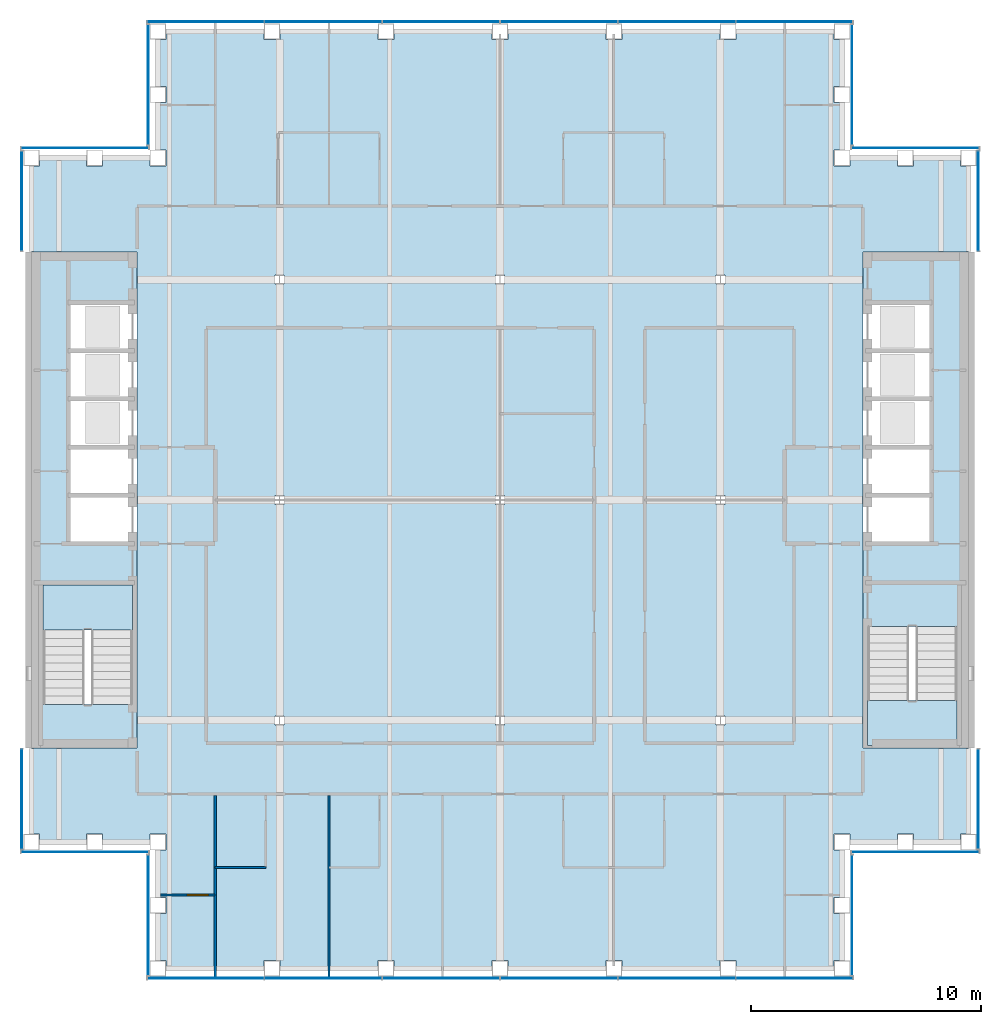
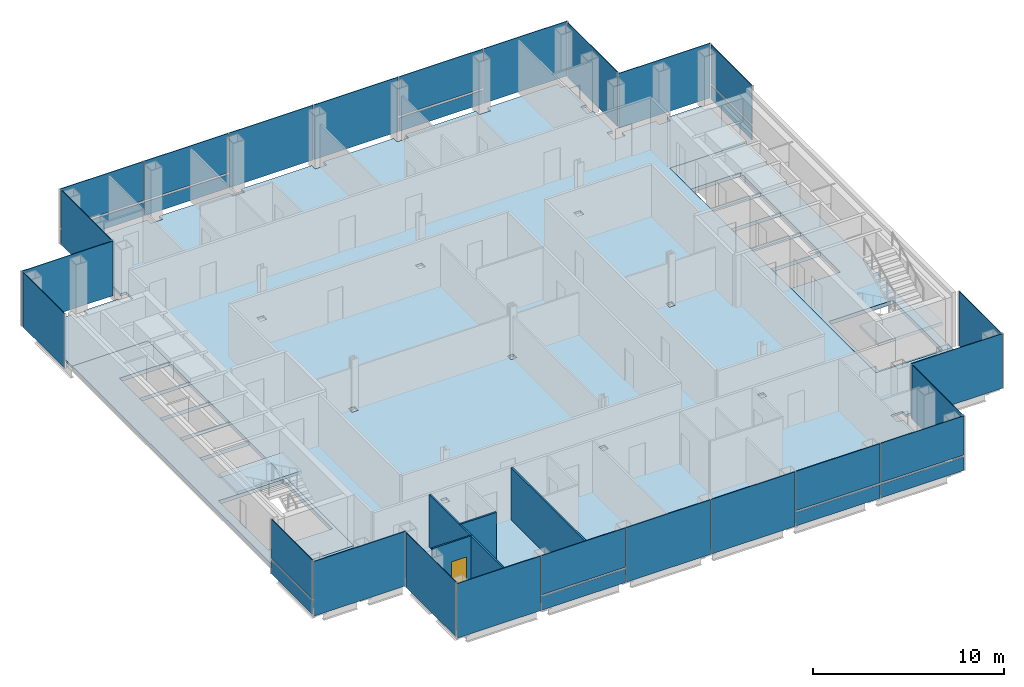
# One storey, part 9 of 15: 32 plates, 5 slabs, 4 walls, 1 door, 1 opening, 16 elements without a shape of their own.
"""IFC4 building model written with IfcOpenShell, lengths in metres."""

from ifc_helpers import new_model, si_unit, direction, frame, frame_2d, origin, origin_2d, place, context, subcontext, project, spatial, polyline, rectangle, outline, extrude, material, layer, layer_set, type_object, element, fill, aggregate, save


model = new_model("IFC4")

# Units and contexts
model_context = context("Model", 3, precision=1e-05, world=origin(), true_north=direction((0.0, 1.0)))
body_context = subcontext(model_context, "Body", "Model", "MODEL_VIEW")
ifc_project = project(units=[si_unit("LENGTHUNIT", "METRE"), si_unit("AREAUNIT", "SQUARE_METRE"), si_unit("VOLUMEUNIT", "CUBIC_METRE"), si_unit("PLANEANGLEUNIT", "RADIAN"), si_unit("MASSUNIT", "GRAM", prefix="KILO")], contexts=[model_context])

# Site, building, storey
site_placement = place(None, origin())
site = spatial("IfcSite", under=ifc_project, at=site_placement, CompositionType="ELEMENT")
building_placement = place(site_placement, origin())
building = spatial("IfcBuilding", under=site, at=building_placement, Name="Cobrizo Arcos Hotel Tower", CompositionType="ELEMENT")
storey_placement = place(building_placement, frame((0.0, 0.0, 201.5)))
storey = spatial("IfcBuildingStorey", under=building, at=storey_placement, Name="L52", CompositionType="ELEMENT", Elevation=201.5)

# Curtain wall, plates
ifc_material_1 = material(Name="Aluminium 6063-T6 anodised bronze", Category="aluminium")
curtain_wall_type = type_object("IfcCurtainWallType", Name="CW-A guest facade", PredefinedType="NOTDEFINED", material=ifc_material_1)
curtain_wall_1_placement = place(storey_placement, origin())
curtain_wall_1 = element("IfcCurtainWall", 1, at=curtain_wall_1_placement, inside=storey, type_object=curtain_wall_type, Name="CW-A L52 S face", PredefinedType="NOTDEFINED")
ifc_material_2 = material(Name="Glass clear laminated low-e", Category="glass")
ifc_layer_1 = layer(ifc_material_2, 0.0400390625)
ifc_layer_set_1 = layer_set([ifc_layer_1], Name="CW-A glass panel")
plate_type_1 = type_object("IfcPlateType", Name="CW-A glass panel", PredefinedType="CURTAIN_PANEL", material=ifc_layer_set_1)
plate_1_placement = place(storey_placement, frame((-7.699951171875, -20.824951171875, 0.990234375), z_axis=(0.0, 0.0, 1.0), x_axis=(1.0, 0.0, 0.0)))
plate_1 = element("IfcPlate", 2, at=plate_1_placement, type_object=plate_type_1, Name="CW-A glass panel 1769", PredefinedType="CURTAIN_PANEL", context=body_context, shape_type="SweptSolid", body=[
    extrude(rectangle(XDim=5.0732421875, YDim=0.0400390625, at=origin_2d()), origin(), (0.0, 0.0, 1.0), 2.510009765625),
])
plate_2_placement = place(storey_placement, frame((7.699951171875, -20.824951171875, 0.990234375), z_axis=(0.0, 0.0, 1.0), x_axis=(1.0, 0.0, 0.0)))
plate_2 = element("IfcPlate", 3, at=plate_2_placement, type_object=plate_type_1, Name="CW-A glass panel 1772", PredefinedType="CURTAIN_PANEL", context=body_context, shape_type="SweptSolid", body=[
    extrude(rectangle(XDim=5.0732421875, YDim=0.0400390625, at=origin_2d()), origin(), (0.0, 0.0, 1.0), 2.510009765625),
])
plate_3_placement = place(storey_placement, frame((12.818359375, -20.824951171875, 0.990234375), z_axis=(0.0, 0.0, 1.0), x_axis=(1.0, 0.0, 0.0)))
plate_3 = element("IfcPlate", 4, at=plate_3_placement, type_object=plate_type_1, Name="CW-A glass panel 1773", PredefinedType="CURTAIN_PANEL", context=body_context, shape_type="SweptSolid", body=[
    extrude(rectangle(XDim=5.043212890625, YDim=0.0400390625, at=origin_2d()), origin(), (0.0, 0.0, 1.0), 2.510009765625),
])

# Curtain wall, plate
curtain_wall_2_placement = place(storey_placement, origin())
curtain_wall_2 = element("IfcCurtainWall", 5, at=curtain_wall_2_placement, inside=storey, type_object=curtain_wall_type, Name="CW-A L52 E face", PredefinedType="NOTDEFINED")
plate_4_placement = place(storey_placement, frame((20.824951171875, 13.02490234375, 0.990234375), z_axis=(0.0, 0.0, 1.0), x_axis=(0.0, 1.0, 0.0)))
plate_4 = element("IfcPlate", 6, at=plate_4_placement, type_object=plate_type_1, Name="CW-A glass panel 1777", PredefinedType="CURTAIN_PANEL", context=body_context, shape_type="SweptSolid", body=[
    extrude(rectangle(XDim=4.330078125, YDim=0.0400390625, at=origin_2d()), origin(), (0.0, 0.0, 1.0), 2.510009765625),
])

# Curtain wall, plates
curtain_wall_3_placement = place(storey_placement, origin())
curtain_wall_3 = element("IfcCurtainWall", 7, at=curtain_wall_3_placement, inside=storey, type_object=curtain_wall_type, Name="CW-A L52 N face", PredefinedType="NOTDEFINED")
plate_5_placement = place(storey_placement, frame((7.699951171875, 20.824951171875, 0.990234375), z_axis=(0.0, 0.0, 1.0), x_axis=(-1.0, 0.0, 0.0)))
plate_5 = element("IfcPlate", 8, at=plate_5_placement, type_object=plate_type_1, Name="CW-A glass panel 1781", PredefinedType="CURTAIN_PANEL", context=body_context, shape_type="SweptSolid", body=[
    extrude(rectangle(XDim=5.0732421875, YDim=0.0400390625, at=origin_2d()), origin(), (0.0, 0.0, 1.0), 2.510009765625),
])
plate_6_placement = place(storey_placement, frame((-7.699951171875, 20.824951171875, 0.990234375), z_axis=(0.0, 0.0, 1.0), x_axis=(-1.0, 0.0, 0.0)))
plate_6 = element("IfcPlate", 9, at=plate_6_placement, type_object=plate_type_1, Name="CW-A glass panel 1784", PredefinedType="CURTAIN_PANEL", context=body_context, shape_type="SweptSolid", body=[
    extrude(rectangle(XDim=5.0732421875, YDim=0.0400390625, at=origin_2d()), origin(), (0.0, 0.0, 1.0), 2.510009765625),
])
plate_7_placement = place(storey_placement, frame((-12.818359375, 20.824951171875, 0.990234375), z_axis=(0.0, 0.0, 1.0), x_axis=(-1.0, 0.0, 0.0)))
plate_7 = element("IfcPlate", 10, at=plate_7_placement, type_object=plate_type_1, Name="CW-A glass panel 1785", PredefinedType="CURTAIN_PANEL", context=body_context, shape_type="SweptSolid", body=[
    extrude(rectangle(XDim=5.043212890625, YDim=0.0400390625, at=origin_2d()), origin(), (0.0, 0.0, 1.0), 2.510009765625),
])

# Curtain wall, plate
curtain_wall_4_placement = place(storey_placement, origin())
curtain_wall_4 = element("IfcCurtainWall", 11, at=curtain_wall_4_placement, inside=storey, type_object=curtain_wall_type, Name="CW-A L52 W face", PredefinedType="NOTDEFINED")
plate_8_placement = place(storey_placement, frame((-20.824951171875, -13.02490234375, 0.990234375), z_axis=(0.0, 0.0, 1.0), x_axis=(0.0, -1.0, 0.0)))
plate_8 = element("IfcPlate", 12, at=plate_8_placement, type_object=plate_type_1, Name="CW-A glass panel 1789", PredefinedType="CURTAIN_PANEL", context=body_context, shape_type="SweptSolid", body=[
    extrude(rectangle(XDim=4.330078125, YDim=0.0400390625, at=origin_2d()), origin(), (0.0, 0.0, 1.0), 2.510009765625),
])

# Plate
ifc_material_3 = material(Name="Aluminium composite panel pale metal", Category="aluminium")
ifc_layer_2 = layer(ifc_material_3, 0.0400390625)
ifc_layer_set_2 = layer_set([ifc_layer_2], Name="CW-A spandrel panel")
plate_type_2 = type_object("IfcPlateType", Name="CW-A spandrel panel", PredefinedType="CURTAIN_PANEL", material=ifc_layer_set_2)
plate_9_placement = place(storey_placement, frame((-12.818359375, -20.824951171875, 0.0), z_axis=(0.0, 0.0, 1.0), x_axis=(1.0, 0.0, 0.0)))
plate_9 = element("IfcPlate", 13, at=plate_9_placement, type_object=plate_type_2, Name="CW-A spandrel panel 1768", PredefinedType="CURTAIN_PANEL", context=body_context, shape_type="SweptSolid", body=[
    extrude(rectangle(XDim=5.043212890625, YDim=0.0400390625, at=origin_2d()), origin(), (0.0, 0.0, 1.0), 3.5),
])

plate_10_placement = place(storey_placement, frame((-7.699951171875, -20.824951171875, 0.0), z_axis=(0.0, 0.0, 1.0), x_axis=(1.0, 0.0, 0.0)))
plate_10 = element("IfcPlate", 14, at=plate_10_placement, type_object=plate_type_2, Name="CW-A spandrel panel 1769", PredefinedType="CURTAIN_PANEL", context=body_context, shape_type="SweptSolid", body=[
    extrude(rectangle(XDim=5.0732421875, YDim=0.0400390625, at=origin_2d()), origin(), (0.0, 0.0, 1.0), 0.8701171875),
])

plate_11_placement = place(storey_placement, frame((-2.566650390625, -20.824951171875, 0.0), z_axis=(0.0, 0.0, 1.0), x_axis=(1.0, 0.0, 0.0)))
plate_11 = element("IfcPlate", 15, at=plate_11_placement, type_object=plate_type_2, Name="CW-A spandrel panel 1770", PredefinedType="CURTAIN_PANEL", context=body_context, shape_type="SweptSolid", body=[
    extrude(rectangle(XDim=5.0732421875, YDim=0.0400390625, at=origin_2d()), origin(), (0.0, 0.0, 1.0), 3.5),
])

plate_12_placement = place(storey_placement, frame((2.566650390625, -20.824951171875, 0.0), z_axis=(0.0, 0.0, 1.0), x_axis=(1.0, 0.0, 0.0)))
plate_12 = element("IfcPlate", 16, at=plate_12_placement, type_object=plate_type_2, Name="CW-A spandrel panel 1771", PredefinedType="CURTAIN_PANEL", context=body_context, shape_type="SweptSolid", body=[
    extrude(rectangle(XDim=5.0732421875, YDim=0.0400390625, at=origin_2d()), origin(), (0.0, 0.0, 1.0), 3.5),
])

plate_13_placement = place(storey_placement, frame((7.699951171875, -20.824951171875, 0.0), z_axis=(0.0, 0.0, 1.0), x_axis=(1.0, 0.0, 0.0)))
plate_13 = element("IfcPlate", 17, at=plate_13_placement, type_object=plate_type_2, Name="CW-A spandrel panel 1772", PredefinedType="CURTAIN_PANEL", context=body_context, shape_type="SweptSolid", body=[
    extrude(rectangle(XDim=5.0732421875, YDim=0.0400390625, at=origin_2d()), origin(), (0.0, 0.0, 1.0), 0.8701171875),
])

plate_14_placement = place(storey_placement, frame((12.818359375, -20.824951171875, 0.0), z_axis=(0.0, 0.0, 1.0), x_axis=(1.0, 0.0, 0.0)))
plate_14 = element("IfcPlate", 18, at=plate_14_placement, type_object=plate_type_2, Name="CW-A spandrel panel 1773", PredefinedType="CURTAIN_PANEL", context=body_context, shape_type="SweptSolid", body=[
    extrude(rectangle(XDim=5.043212890625, YDim=0.0400390625, at=origin_2d()), origin(), (0.0, 0.0, 1.0), 0.8701171875),
])

aggregate(curtain_wall_1, [plate_9, plate_10, plate_1, plate_11, plate_12, plate_13, plate_2, plate_14, plate_3])

# Curtain wall, plate
curtain_wall_5_placement = place(storey_placement, origin())
curtain_wall_5 = element("IfcCurtainWall", 19, at=curtain_wall_5_placement, inside=storey, type_object=curtain_wall_type, Name="CW-A L52 E face", PredefinedType="NOTDEFINED")
plate_15_placement = place(storey_placement, frame((15.324951171875, -18.074951171875, 0.0), z_axis=(0.0, 0.0, 1.0), x_axis=(0.0, 1.0, 0.0)))
plate_15 = element("IfcPlate", 20, at=plate_15_placement, type_object=plate_type_2, Name="CW-A spandrel panel 1774", PredefinedType="CURTAIN_PANEL", context=body_context, shape_type="SweptSolid", body=[
    extrude(rectangle(XDim=5.22998046875, YDim=0.0400390625, at=origin_2d()), origin(), (0.0, 0.0, 1.0), 3.5),
])
aggregate(curtain_wall_5, [plate_15])

curtain_wall_6_placement = place(storey_placement, origin())
curtain_wall_6 = element("IfcCurtainWall", 21, at=curtain_wall_6_placement, inside=storey, type_object=curtain_wall_type, Name="CW-A L52 S face", PredefinedType="NOTDEFINED")
plate_16_placement = place(storey_placement, frame((18.074951171875, -15.324951171875, 0.0), z_axis=(0.0, 0.0, 1.0), x_axis=(1.0, 0.0, 0.0)))
plate_16 = element("IfcPlate", 22, at=plate_16_placement, type_object=plate_type_2, Name="CW-A spandrel panel 1775", PredefinedType="CURTAIN_PANEL", context=body_context, shape_type="SweptSolid", body=[
    extrude(rectangle(XDim=5.530029296875, YDim=0.0400390625, at=origin_2d()), origin(), (0.0, 0.0, 1.0), 3.5),
])
aggregate(curtain_wall_6, [plate_16])

curtain_wall_7_placement = place(storey_placement, origin())
curtain_wall_7 = element("IfcCurtainWall", 23, at=curtain_wall_7_placement, inside=storey, type_object=curtain_wall_type, Name="CW-A L52 E face", PredefinedType="NOTDEFINED")
plate_17_placement = place(storey_placement, frame((20.824951171875, -13.02490234375, 0.0), z_axis=(0.0, 0.0, 1.0), x_axis=(0.0, 1.0, 0.0)))
plate_17 = element("IfcPlate", 24, at=plate_17_placement, type_object=plate_type_2, Name="CW-A spandrel panel 1776", PredefinedType="CURTAIN_PANEL", context=body_context, shape_type="SweptSolid", body=[
    extrude(rectangle(XDim=4.330078125, YDim=0.0400390625, at=origin_2d()), origin(), (0.0, 0.0, 1.0), 3.5),
])
aggregate(curtain_wall_7, [plate_17])

# Plate
plate_18_placement = place(storey_placement, frame((20.824951171875, 13.02490234375, 0.0), z_axis=(0.0, 0.0, 1.0), x_axis=(0.0, 1.0, 0.0)))
plate_18 = element("IfcPlate", 25, at=plate_18_placement, type_object=plate_type_2, Name="CW-A spandrel panel 1777", PredefinedType="CURTAIN_PANEL", context=body_context, shape_type="SweptSolid", body=[
    extrude(rectangle(XDim=4.330078125, YDim=0.0400390625, at=origin_2d()), origin(), (0.0, 0.0, 1.0), 0.8701171875),
])

aggregate(curtain_wall_2, [plate_18, plate_4])

# Curtain wall, plate
curtain_wall_8_placement = place(storey_placement, origin())
curtain_wall_8 = element("IfcCurtainWall", 26, at=curtain_wall_8_placement, inside=storey, type_object=curtain_wall_type, Name="CW-A L52 N face", PredefinedType="NOTDEFINED")
plate_19_placement = place(storey_placement, frame((18.074951171875, 15.324951171875, 0.0), z_axis=(0.0, 0.0, 1.0), x_axis=(-1.0, 0.0, 0.0)))
plate_19 = element("IfcPlate", 27, at=plate_19_placement, type_object=plate_type_2, Name="CW-A spandrel panel 1778", PredefinedType="CURTAIN_PANEL", context=body_context, shape_type="SweptSolid", body=[
    extrude(rectangle(XDim=5.530029296875, YDim=0.0400390625, at=origin_2d()), origin(), (0.0, 0.0, 1.0), 3.5),
])
aggregate(curtain_wall_8, [plate_19])

curtain_wall_9_placement = place(storey_placement, origin())
curtain_wall_9 = element("IfcCurtainWall", 28, at=curtain_wall_9_placement, inside=storey, type_object=curtain_wall_type, Name="CW-A L52 E face", PredefinedType="NOTDEFINED")
plate_20_placement = place(storey_placement, frame((15.324951171875, 18.074951171875, 0.0), z_axis=(0.0, 0.0, 1.0), x_axis=(0.0, 1.0, 0.0)))
plate_20 = element("IfcPlate", 29, at=plate_20_placement, type_object=plate_type_2, Name="CW-A spandrel panel 1779", PredefinedType="CURTAIN_PANEL", context=body_context, shape_type="SweptSolid", body=[
    extrude(rectangle(XDim=5.22998046875, YDim=0.0400390625, at=origin_2d()), origin(), (0.0, 0.0, 1.0), 3.5),
])
aggregate(curtain_wall_9, [plate_20])

# Plate
plate_21_placement = place(storey_placement, frame((12.818359375, 20.824951171875, 0.0), z_axis=(0.0, 0.0, 1.0), x_axis=(-1.0, 0.0, 0.0)))
plate_21 = element("IfcPlate", 30, at=plate_21_placement, type_object=plate_type_2, Name="CW-A spandrel panel 1780", PredefinedType="CURTAIN_PANEL", context=body_context, shape_type="SweptSolid", body=[
    extrude(rectangle(XDim=5.043212890625, YDim=0.0400390625, at=origin_2d()), origin(), (0.0, 0.0, 1.0), 3.5),
])

plate_22_placement = place(storey_placement, frame((7.699951171875, 20.824951171875, 0.0), z_axis=(0.0, 0.0, 1.0), x_axis=(-1.0, 0.0, 0.0)))
plate_22 = element("IfcPlate", 31, at=plate_22_placement, type_object=plate_type_2, Name="CW-A spandrel panel 1781", PredefinedType="CURTAIN_PANEL", context=body_context, shape_type="SweptSolid", body=[
    extrude(rectangle(XDim=5.0732421875, YDim=0.0400390625, at=origin_2d()), origin(), (0.0, 0.0, 1.0), 0.8701171875),
])

plate_23_placement = place(storey_placement, frame((2.566650390625, 20.824951171875, 0.0), z_axis=(0.0, 0.0, 1.0), x_axis=(-1.0, 0.0, 0.0)))
plate_23 = element("IfcPlate", 32, at=plate_23_placement, type_object=plate_type_2, Name="CW-A spandrel panel 1782", PredefinedType="CURTAIN_PANEL", context=body_context, shape_type="SweptSolid", body=[
    extrude(rectangle(XDim=5.0732421875, YDim=0.0400390625, at=origin_2d()), origin(), (0.0, 0.0, 1.0), 3.5),
])

plate_24_placement = place(storey_placement, frame((-2.566650390625, 20.824951171875, 0.0), z_axis=(0.0, 0.0, 1.0), x_axis=(-1.0, 0.0, 0.0)))
plate_24 = element("IfcPlate", 33, at=plate_24_placement, type_object=plate_type_2, Name="CW-A spandrel panel 1783", PredefinedType="CURTAIN_PANEL", context=body_context, shape_type="SweptSolid", body=[
    extrude(rectangle(XDim=5.0732421875, YDim=0.0400390625, at=origin_2d()), origin(), (0.0, 0.0, 1.0), 3.5),
])

plate_25_placement = place(storey_placement, frame((-7.699951171875, 20.824951171875, 0.0), z_axis=(0.0, 0.0, 1.0), x_axis=(-1.0, 0.0, 0.0)))
plate_25 = element("IfcPlate", 34, at=plate_25_placement, type_object=plate_type_2, Name="CW-A spandrel panel 1784", PredefinedType="CURTAIN_PANEL", context=body_context, shape_type="SweptSolid", body=[
    extrude(rectangle(XDim=5.0732421875, YDim=0.0400390625, at=origin_2d()), origin(), (0.0, 0.0, 1.0), 0.8701171875),
])

plate_26_placement = place(storey_placement, frame((-12.818359375, 20.824951171875, 0.0), z_axis=(0.0, 0.0, 1.0), x_axis=(-1.0, 0.0, 0.0)))
plate_26 = element("IfcPlate", 35, at=plate_26_placement, type_object=plate_type_2, Name="CW-A spandrel panel 1785", PredefinedType="CURTAIN_PANEL", context=body_context, shape_type="SweptSolid", body=[
    extrude(rectangle(XDim=5.043212890625, YDim=0.0400390625, at=origin_2d()), origin(), (0.0, 0.0, 1.0), 0.8701171875),
])

aggregate(curtain_wall_3, [plate_21, plate_22, plate_5, plate_23, plate_24, plate_25, plate_6, plate_26, plate_7])

# Curtain wall, plate
curtain_wall_10_placement = place(storey_placement, origin())
curtain_wall_10 = element("IfcCurtainWall", 36, at=curtain_wall_10_placement, inside=storey, type_object=curtain_wall_type, Name="CW-A L52 W face", PredefinedType="NOTDEFINED")
plate_27_placement = place(storey_placement, frame((-15.324951171875, 18.074951171875, 0.0), z_axis=(0.0, 0.0, 1.0), x_axis=(0.0, -1.0, 0.0)))
plate_27 = element("IfcPlate", 37, at=plate_27_placement, type_object=plate_type_2, Name="CW-A spandrel panel 1786", PredefinedType="CURTAIN_PANEL", context=body_context, shape_type="SweptSolid", body=[
    extrude(rectangle(XDim=5.22998046875, YDim=0.0400390625, at=origin_2d()), origin(), (0.0, 0.0, 1.0), 3.5),
])
aggregate(curtain_wall_10, [plate_27])

curtain_wall_11_placement = place(storey_placement, origin())
curtain_wall_11 = element("IfcCurtainWall", 38, at=curtain_wall_11_placement, inside=storey, type_object=curtain_wall_type, Name="CW-A L52 N face", PredefinedType="NOTDEFINED")
plate_28_placement = place(storey_placement, frame((-18.074951171875, 15.324951171875, 0.0), z_axis=(0.0, 0.0, 1.0), x_axis=(-1.0, 0.0, 0.0)))
plate_28 = element("IfcPlate", 39, at=plate_28_placement, type_object=plate_type_2, Name="CW-A spandrel panel 1787", PredefinedType="CURTAIN_PANEL", context=body_context, shape_type="SweptSolid", body=[
    extrude(rectangle(XDim=5.530029296875, YDim=0.0400390625, at=origin_2d()), origin(), (0.0, 0.0, 1.0), 3.5),
])
aggregate(curtain_wall_11, [plate_28])

curtain_wall_12_placement = place(storey_placement, origin())
curtain_wall_12 = element("IfcCurtainWall", 40, at=curtain_wall_12_placement, inside=storey, type_object=curtain_wall_type, Name="CW-A L52 W face", PredefinedType="NOTDEFINED")
plate_29_placement = place(storey_placement, frame((-20.824951171875, 13.02490234375, 0.0), z_axis=(0.0, 0.0, 1.0), x_axis=(0.0, -1.0, 0.0)))
plate_29 = element("IfcPlate", 41, at=plate_29_placement, type_object=plate_type_2, Name="CW-A spandrel panel 1788", PredefinedType="CURTAIN_PANEL", context=body_context, shape_type="SweptSolid", body=[
    extrude(rectangle(XDim=4.330078125, YDim=0.0400390625, at=origin_2d()), origin(), (0.0, 0.0, 1.0), 3.5),
])
aggregate(curtain_wall_12, [plate_29])

# Plate
plate_30_placement = place(storey_placement, frame((-20.824951171875, -13.02490234375, 0.0), z_axis=(0.0, 0.0, 1.0), x_axis=(0.0, -1.0, 0.0)))
plate_30 = element("IfcPlate", 42, at=plate_30_placement, type_object=plate_type_2, Name="CW-A spandrel panel 1789", PredefinedType="CURTAIN_PANEL", context=body_context, shape_type="SweptSolid", body=[
    extrude(rectangle(XDim=4.330078125, YDim=0.0400390625, at=origin_2d()), origin(), (0.0, 0.0, 1.0), 0.8701171875),
])

aggregate(curtain_wall_4, [plate_30, plate_8])

# Curtain wall, plate
curtain_wall_13_placement = place(storey_placement, origin())
curtain_wall_13 = element("IfcCurtainWall", 43, at=curtain_wall_13_placement, inside=storey, type_object=curtain_wall_type, Name="CW-A L52 S face", PredefinedType="NOTDEFINED")
plate_31_placement = place(storey_placement, frame((-18.074951171875, -15.324951171875, 0.0), z_axis=(0.0, 0.0, 1.0), x_axis=(1.0, 0.0, 0.0)))
plate_31 = element("IfcPlate", 44, at=plate_31_placement, type_object=plate_type_2, Name="CW-A spandrel panel 1790", PredefinedType="CURTAIN_PANEL", context=body_context, shape_type="SweptSolid", body=[
    extrude(rectangle(XDim=5.530029296875, YDim=0.0400390625, at=origin_2d()), origin(), (0.0, 0.0, 1.0), 3.5),
])
aggregate(curtain_wall_13, [plate_31])

curtain_wall_14_placement = place(storey_placement, origin())
curtain_wall_14 = element("IfcCurtainWall", 45, at=curtain_wall_14_placement, inside=storey, type_object=curtain_wall_type, Name="CW-A L52 W face", PredefinedType="NOTDEFINED")
plate_32_placement = place(storey_placement, frame((-15.324951171875, -18.074951171875, 0.0), z_axis=(0.0, 0.0, 1.0), x_axis=(0.0, -1.0, 0.0)))
plate_32 = element("IfcPlate", 46, at=plate_32_placement, type_object=plate_type_2, Name="CW-A spandrel panel 1791", PredefinedType="CURTAIN_PANEL", context=body_context, shape_type="SweptSolid", body=[
    extrude(rectangle(XDim=5.22998046875, YDim=0.0400390625, at=origin_2d()), origin(), (0.0, 0.0, 1.0), 3.5),
])
aggregate(curtain_wall_14, [plate_32])

# Slabs
ifc_material_4 = material(Name="Concrete f'c 35 MPa", Category="concrete")
ifc_layer_3 = layer(ifc_material_4, 0.14990234375)
ifc_layer_set_3 = layer_set([ifc_layer_3], Name="Composite floor slab 150 f'c 35")
slab_type_1 = type_object("IfcSlabType", Name="Composite floor slab 150 f'c 35", PredefinedType="FLOOR", material=ifc_layer_set_3)
slab_1_placement = place(storey_placement, frame((0.0, 0.0, -0.14990234375)))
element("IfcSlab", 47, at=slab_1_placement, inside=storey, type_object=slab_type_1, Name="Floor slab S5, L52, no. 01", PredefinedType="FLOOR", context=body_context, shape_type="SweptSolid", body=[
    extrude(outline(polyline([(-14.550048828125, -20.39990234375), (-14.550048828125, -20.050048828125), (-14.89990234375, -20.050048828125), (-14.89990234375, -18.0), (-14.550048828125, -18.0), (-14.550048828125, -17.300048828125), (-14.89990234375, -17.300048828125), (-14.89990234375, -15.25), (-14.550048828125, -15.25), (-14.550048828125, -14.550048828125), (-15.25, -14.550048828125), (-15.25, -14.89990234375), (-17.300048828125, -14.89990234375), (-17.300048828125, -14.550048828125), (-18.0, -14.550048828125), (-18.0, -14.89990234375), (-20.050048828125, -14.89990234375), (-20.050048828125, -14.550048828125), (-20.39990234375, -14.550048828125), (-20.39990234375, -10.800048828125), (-15.800048828125, -10.800048828125), (-15.800048828125, 10.800048828125), (-20.39990234375, 10.800048828125), (-20.39990234375, 14.550048828125), (-20.050048828125, 14.550048828125), (-20.050048828125, 14.89990234375), (-18.0, 14.89990234375), (-18.0, 14.550048828125), (-17.300048828125, 14.550048828125), (-17.300048828125, 14.89990234375), (-15.25, 14.89990234375), (-15.25, 14.550048828125), (-14.550048828125, 14.550048828125), (-14.550048828125, 15.25), (-14.89990234375, 15.25), (-14.89990234375, 17.300048828125), (-14.550048828125, 17.300048828125), (-14.550048828125, 18.0), (-14.89990234375, 18.0), (-14.89990234375, 20.050048828125), (-14.550048828125, 20.050048828125), (-14.550048828125, 20.39990234375), (-10.282958984375, 20.39990234375), (-10.282958984375, 20.050048828125), (-9.5830078125, 20.050048828125), (-9.5830078125, 20.39990234375), (-5.31689453125, 20.39990234375), (-5.31689453125, 20.050048828125), (-4.616943359375, 20.050048828125), (-4.616943359375, 20.39990234375), (-0.35009765625, 20.39990234375), (-0.35009765625, 20.050048828125), (0.35009765625, 20.050048828125), (0.35009765625, 20.39990234375), (4.616943359375, 20.39990234375), (4.616943359375, 20.050048828125), (5.31689453125, 20.050048828125), (5.31689453125, 20.39990234375), (9.5830078125, 20.39990234375), (9.5830078125, 20.050048828125), (10.282958984375, 20.050048828125), (10.282958984375, 20.39990234375), (14.550048828125, 20.39990234375), (14.550048828125, 20.050048828125), (14.89990234375, 20.050048828125), (14.89990234375, 18.0), (14.550048828125, 18.0), (14.550048828125, 17.300048828125), (14.89990234375, 17.300048828125), (14.89990234375, 15.25), (14.550048828125, 15.25), (14.550048828125, 14.550048828125), (15.25, 14.550048828125), (15.25, 14.89990234375), (17.300048828125, 14.89990234375), (17.300048828125, 14.550048828125), (18.0, 14.550048828125), (18.0, 14.89990234375), (20.050048828125, 14.89990234375), (20.050048828125, 14.550048828125), (20.39990234375, 14.550048828125), (20.39990234375, 10.800048828125), (15.800048828125, 10.800048828125), (15.800048828125, -10.800048828125), (20.39990234375, -10.800048828125), (20.39990234375, -14.550048828125), (20.050048828125, -14.550048828125), (20.050048828125, -14.89990234375), (18.0, -14.89990234375), (18.0, -14.550048828125), (17.300048828125, -14.550048828125), (17.300048828125, -14.89990234375), (15.25, -14.89990234375), (15.25, -14.550048828125), (14.550048828125, -14.550048828125), (14.550048828125, -15.25), (14.89990234375, -15.25), (14.89990234375, -17.300048828125), (14.550048828125, -17.300048828125), (14.550048828125, -18.0), (14.89990234375, -18.0), (14.89990234375, -20.050048828125), (14.550048828125, -20.050048828125), (14.550048828125, -20.39990234375), (10.282958984375, -20.39990234375), (10.282958984375, -20.050048828125), (9.5830078125, -20.050048828125), (9.5830078125, -20.39990234375), (5.31689453125, -20.39990234375), (5.31689453125, -20.050048828125), (4.616943359375, -20.050048828125), (4.616943359375, -20.39990234375), (0.35009765625, -20.39990234375), (0.35009765625, -20.050048828125), (-0.35009765625, -20.050048828125), (-0.35009765625, -20.39990234375), (-4.616943359375, -20.39990234375), (-4.616943359375, -20.050048828125), (-5.31689453125, -20.050048828125), (-5.31689453125, -20.39990234375), (-9.5830078125, -20.39990234375), (-9.5830078125, -20.050048828125), (-10.282958984375, -20.050048828125), (-10.282958984375, -20.39990234375), (-14.550048828125, -20.39990234375)]), holes=[polyline([(-9.413330078125, -9.78662109375), (-9.413330078125, -9.413330078125), (-9.78662109375, -9.413330078125), (-9.78662109375, -9.78662109375), (-9.413330078125, -9.78662109375)]), polyline([(0.186767578125, -9.78662109375), (0.186767578125, -9.413330078125), (-0.186767578125, -9.413330078125), (-0.186767578125, -9.78662109375), (0.186767578125, -9.78662109375)]), polyline([(9.413330078125, -9.78662109375), (9.78662109375, -9.78662109375), (9.78662109375, -9.413330078125), (9.413330078125, -9.413330078125), (9.413330078125, -9.78662109375)]), polyline([(-9.78662109375, -0.186767578125), (-9.413330078125, -0.186767578125), (-9.413330078125, 0.186767578125), (-9.78662109375, 0.186767578125), (-9.78662109375, -0.186767578125)]), polyline([(0.186767578125, -0.186767578125), (0.186767578125, 0.186767578125), (-0.186767578125, 0.186767578125), (-0.186767578125, -0.186767578125), (0.186767578125, -0.186767578125)]), polyline([(9.78662109375, -0.186767578125), (9.78662109375, 0.186767578125), (9.413330078125, 0.186767578125), (9.413330078125, -0.186767578125), (9.78662109375, -0.186767578125)]), polyline([(-9.413330078125, 9.413330078125), (-9.413330078125, 9.78662109375), (-9.78662109375, 9.78662109375), (-9.78662109375, 9.413330078125), (-9.413330078125, 9.413330078125)]), polyline([(-0.186767578125, 9.413330078125), (0.186767578125, 9.413330078125), (0.186767578125, 9.78662109375), (-0.186767578125, 9.78662109375), (-0.186767578125, 9.413330078125)]), polyline([(9.413330078125, 9.413330078125), (9.78662109375, 9.413330078125), (9.78662109375, 9.78662109375), (9.413330078125, 9.78662109375), (9.413330078125, 9.413330078125)])]), origin(), (0.0, 0.0, 1.0), 0.14990234375),
])
ifc_material_5 = material(Name="Concrete f'c 40 MPa", Category="concrete")
ifc_layer_4 = layer(ifc_material_5, 0.25)
ifc_layer_set_4 = layer_set([ifc_layer_4], Name="RC core floor slab 250 f'c 40")
slab_type_2 = type_object("IfcSlabType", Name="RC core floor slab 250 f'c 40", PredefinedType="FLOOR", material=ifc_layer_set_4)
slab_2_placement = place(storey_placement, frame((0.0, 0.0, -0.25)))
element("IfcSlab", 48, at=slab_2_placement, inside=storey, type_object=slab_type_2, Name="Core floor slab CS7, east core, L52", PredefinedType="FLOOR", context=body_context, shape_type="SweptSolid", body=[
    extrude(outline(polyline([(15.800048828125, 10.800048828125), (20.39990234375, 10.800048828125), (20.39990234375, -10.800048828125), (15.800048828125, -10.800048828125), (15.800048828125, 10.800048828125)]), holes=[polyline([(19.89794921875, -10.697998046875), (19.89794921875, -5.501953125), (16.001953125, -5.501953125), (16.001953125, -10.697998046875), (19.89794921875, -10.697998046875)]), polyline([(15.802001953125, 0.197998046875), (15.802001953125, -1.89794921875), (18.798095703125, -1.89794921875), (18.798095703125, 0.197998046875), (15.802001953125, 0.197998046875)]), polyline([(15.802001953125, 2.298095703125), (15.802001953125, 0.201904296875), (18.798095703125, 0.201904296875), (18.798095703125, 2.298095703125), (15.802001953125, 2.298095703125)]), polyline([(15.802001953125, 4.39794921875), (15.802001953125, 2.302001953125), (18.798095703125, 2.302001953125), (18.798095703125, 4.39794921875), (15.802001953125, 4.39794921875)]), polyline([(18.798095703125, 6.498046875), (15.802001953125, 6.498046875), (15.802001953125, 4.402099609375), (18.798095703125, 4.402099609375), (18.798095703125, 6.498046875)]), polyline([(18.798095703125, 8.597900390625), (15.802001953125, 8.597900390625), (15.802001953125, 6.501953125), (18.798095703125, 6.501953125), (18.798095703125, 8.597900390625)])]), origin(), (0.0, 0.0, 1.0), 0.25),
])
slab_3_placement = place(storey_placement, frame((0.0, 0.0, -0.25)))
element("IfcSlab", 49, at=slab_3_placement, inside=storey, type_object=slab_type_2, Name="Core floor slab CS7, west core, L52", PredefinedType="FLOOR", context=body_context, shape_type="SweptSolid", body=[
    extrude(outline(polyline([(-20.39990234375, 10.800048828125), (-15.800048828125, 10.800048828125), (-15.800048828125, -10.800048828125), (-20.39990234375, -10.800048828125), (-20.39990234375, 10.800048828125)]), holes=[polyline([(-19.89794921875, -3.701904296875), (-19.89794921875, -8.89794921875), (-16.001953125, -8.89794921875), (-16.001953125, -3.701904296875), (-19.89794921875, -3.701904296875)]), polyline([(-18.798095703125, 0.197998046875), (-18.798095703125, -1.89794921875), (-15.802001953125, -1.89794921875), (-15.802001953125, 0.197998046875), (-18.798095703125, 0.197998046875)]), polyline([(-18.798095703125, 2.298095703125), (-18.798095703125, 0.201904296875), (-15.802001953125, 0.201904296875), (-15.802001953125, 2.298095703125), (-18.798095703125, 2.298095703125)]), polyline([(-18.798095703125, 4.39794921875), (-18.798095703125, 2.302001953125), (-15.802001953125, 2.302001953125), (-15.802001953125, 4.39794921875), (-18.798095703125, 4.39794921875)]), polyline([(-15.802001953125, 6.498046875), (-18.798095703125, 6.498046875), (-18.798095703125, 4.402099609375), (-15.802001953125, 4.402099609375), (-15.802001953125, 6.498046875)]), polyline([(-15.802001953125, 8.597900390625), (-18.798095703125, 8.597900390625), (-18.798095703125, 6.501953125), (-15.802001953125, 6.501953125), (-15.802001953125, 8.597900390625)])]), origin(), (0.0, 0.0, 1.0), 0.25),
])

# Stair, slab
stair_type = type_object("IfcStairType", Name="Exit stair", PredefinedType="HALF_TURN_STAIR", material=ifc_material_5)
stair_1_placement = place(storey_placement, origin())
stair_1 = element("IfcStair", 50, at=stair_1_placement, inside=storey, type_object=stair_type, Name="L52 Exit stair ST-W", PredefinedType="HALF_TURN_STAIR")
ifc_layer_5 = layer(ifc_material_5, 0.199951171875)
ifc_layer_set_5 = layer_set([ifc_layer_5], Name="Stair landing")
slab_type_3 = type_object("IfcSlabType", Name="Stair landing", PredefinedType="LANDING", material=ifc_layer_set_5)
slab_4_placement = place(storey_placement, frame((0.0, 0.0, 1.550048828125)))
slab_4 = element("IfcSlab", 51, at=slab_4_placement, type_object=slab_type_3, Name="ST-W landing 1", PredefinedType="LANDING", context=body_context, shape_type="SweptSolid", body=[
    extrude(outline(polyline([(-16.0, -5.659912109375), (-16.0, -3.699951171875), (-19.89990234375, -3.699951171875), (-19.89990234375, -5.659912109375), (-16.0, -5.659912109375)])), origin(), (0.0, 0.0, 1.0), 0.199951171875),
])
aggregate(stair_1, [slab_4])

stair_2_placement = place(storey_placement, origin())
stair_2 = element("IfcStair", 52, at=stair_2_placement, inside=storey, type_object=stair_type, Name="L52 Exit stair ST-E", PredefinedType="HALF_TURN_STAIR")
slab_5_placement = place(storey_placement, frame((0.0, 0.0, 1.550048828125)))
slab_5 = element("IfcSlab", 53, at=slab_5_placement, type_object=slab_type_3, Name="ST-E landing 1", PredefinedType="LANDING", context=body_context, shape_type="SweptSolid", body=[
    extrude(outline(polyline([(16.0, -8.739990234375), (16.0, -10.699951171875), (19.89990234375, -10.699951171875), (19.89990234375, -8.739990234375), (16.0, -8.739990234375)])), origin(), (0.0, 0.0, 1.0), 0.199951171875),
])
aggregate(stair_2, [slab_5])

# Wall, opening, door
ifc_material_6 = material(Name="Gypsum board partition")
ifc_layer_6 = layer(ifc_material_6, 0.10009765625)
ifc_layer_set_6 = layer_set([ifc_layer_6], Name="Partition EI 30 100")
wall_type = type_object("IfcWallType", Name="Partition EI 30 100", PredefinedType="PARTITIONING", material=ifc_layer_set_6)
wall_1_placement = place(storey_placement, frame((-14.780029296875, -17.199951171875, 0.0), z_axis=(0.0, 0.0, 1.0), x_axis=(1.0, 0.0, 0.0)))
wall_1 = element("IfcWall", 54, at=wall_1_placement, inside=storey, type_object=wall_type, Name="Partition 001", PredefinedType="PARTITIONING", context=body_context, shape_type="SweptSolid", body=[
    extrude(rectangle(XDim=2.380126953125, YDim=0.10009765625, at=frame_2d((1.18994140625, 0.0))), origin(), (0.0, 0.0, 1.0), 3.35009765625),
])
opening_placement = place(wall_1_placement, frame((1.16796875, 0.0, 0.0)))
opening = element("IfcOpeningElement", 55, at=opening_placement, cuts=wall_1, Name="Opening ED-09", PredefinedType="OPENING", context=body_context, shape_type="SweptSolid", body=[
    extrude(rectangle(XDim=0.89990234375, YDim=2.10009765625, at=frame_2d((0.449951171875, 1.050048828125))), frame((0.0, 0.06201171875, 0.0), z_axis=(0.0, -1.0, 0.0), x_axis=(1.0, 0.0, 0.0)), (0.0, 0.0, 1.0), 0.1240234375),
])
ifc_material_7 = material(Name="Timber door leaf", Category="wood")
door_type = type_object("IfcDoorType", Name="En-suite door 900x2100", OperationType="SINGLE_SWING_LEFT", PredefinedType="DOOR", material=ifc_material_7)
door_placement = place(opening_placement, origin())
door = element("IfcDoor", 56, at=door_placement, inside=storey, type_object=door_type, Name="Door ED-09", OperationType="SINGLE_SWING_LEFT", OverallHeight=2.10009765625, OverallWidth=0.89990234375, PredefinedType="DOOR", context=body_context, shape_type="SweptSolid", body=[
    extrude(rectangle(XDim=0.89990234375, YDim=2.10009765625, at=frame_2d((0.449951171875, 1.050048828125))), frame((0.0, 0.02490234375, 0.0), z_axis=(0.0, -1.0, 0.0), x_axis=(1.0, 0.0, 0.0)), (0.0, 0.0, 1.0), 0.050048828125),
])
fill(opening, door)

# Walls
wall_2_placement = place(storey_placement, frame((-12.39990234375, -16.0, 0.0), z_axis=(0.0, 0.0, 1.0), x_axis=(1.0, 0.0, 0.0)))
element("IfcWall", 57, at=wall_2_placement, inside=storey, type_object=wall_type, Name="Partition 003", PredefinedType="PARTITIONING", context=body_context, shape_type="SweptSolid", body=[
    extrude(rectangle(XDim=2.199951171875, YDim=0.10009765625, at=frame_2d((1.10009765625, 0.0))), origin(), (0.0, 0.0, 1.0), 3.35009765625),
])
for number, where, z_axis, x_axis, name in (
    (58, (-12.39990234375, -20.780029296875, 0.0), (0.0, 0.0, 1.0), (0.0, 1.0, 0.0), "Partition 053"),
    (59, (-7.449951171875, -20.780029296875, 0.0), (0.0, 0.0, 1.0), (0.0, 1.0, 0.0), "Partition 058"),
):
    element("IfcWall", number, at=place(storey_placement, frame(where, z_axis=z_axis, x_axis=x_axis)), inside=storey, type_object=wall_type, Name=name, PredefinedType="PARTITIONING", context=body_context, shape_type="SweptSolid", body=[
        extrude(rectangle(XDim=7.905029296875, YDim=0.10009765625, at=frame_2d((3.95263671875, 0.0))), origin(), (0.0, 0.0, 1.0), 3.35009765625),
    ])

save(model, "model.ifc")
